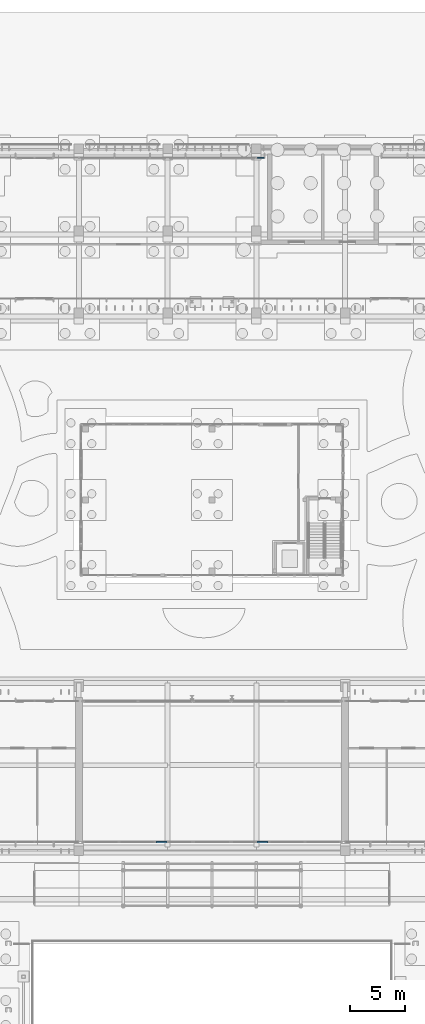
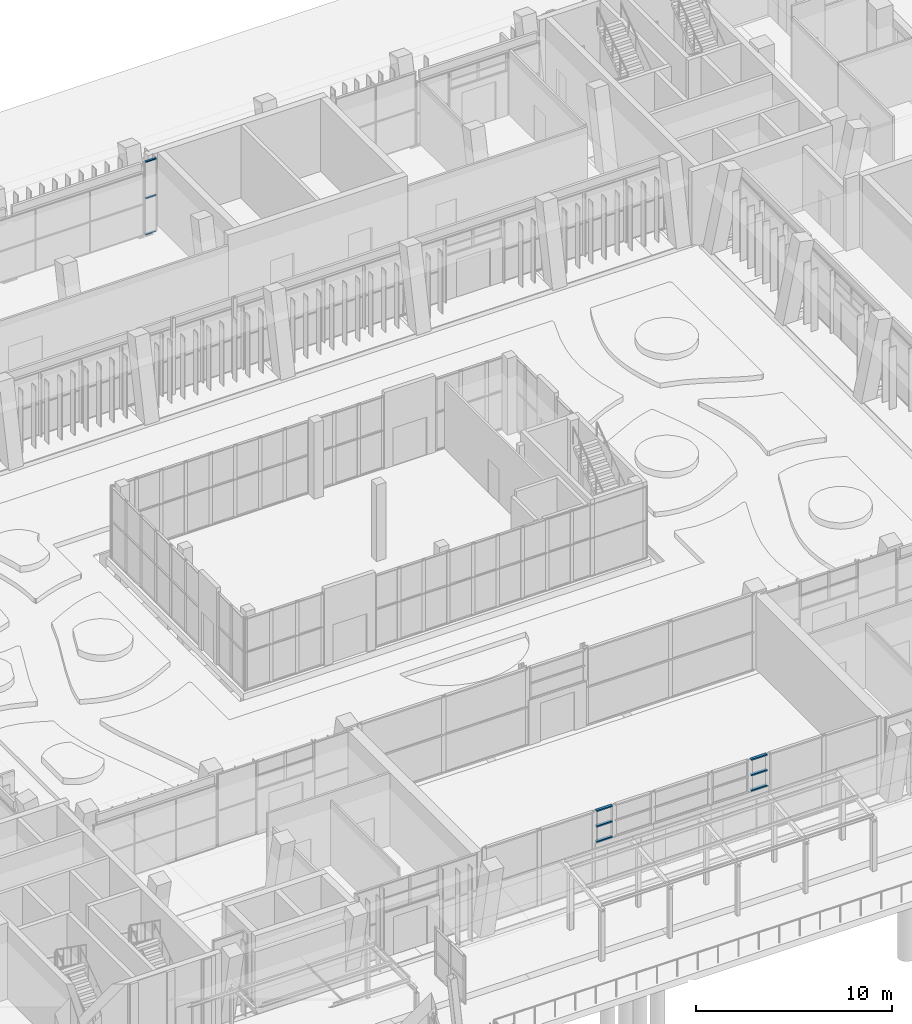
# One storey, part 84 of 144: 9 members, 3 elements without a shape of their own.
"""IFC4 building model written with IfcOpenShell, lengths in metres."""

import ifcopenshell
import ifcopenshell.guid

model = None  # the IFC model being written
_history = None  # IfcOwnerHistory: only IFC2X3 demands one
_inside = {}  # id of a spatial element -> (the spatial element, [elements in it])
_under = {}  # id of a project, library or spatial element -> (it, [spatial elements below it])
_declared = {}  # id of a project -> (the project, [libraries it declares])
_typed = {}  # id of a type object -> (the type object, [elements of that type])
_made_of = {}  # id of a material, layer set ... -> (it, [elements and type objects made of it])


def new_model(schema):
    """Start an empty IFC model of exactly this schema.

    Asked for "IFC4X3", IfcOpenShell would pick the latest addendum, in which some entities
    have other attributes; the version numbers below select the first issue.
    IFC2X3 requires an IfcOwnerHistory on every rooted entity: one is made here for all.
    """
    global model, _history
    if schema == "IFC4X3":
        model = ifcopenshell.file(schema_version=(4, 3, 0, 0))
    else:
        model = ifcopenshell.file(schema=schema)
    _inside.clear()
    _under.clear()
    _declared.clear()
    _typed.clear()
    _made_of.clear()
    _history = None
    if model.schema == "IFC2X3":
        org = make("IfcOrganization", Name="unknown")
        user = make(
            "IfcPersonAndOrganization",
            ThePerson=make("IfcPerson", FamilyName="unknown"),
            TheOrganization=org,
        )
        app = make(
            "IfcApplication",
            ApplicationDeveloper=org,
            Version="unknown",
            ApplicationFullName="unknown",
            ApplicationIdentifier="unknown",
        )
        _history = make(
            "IfcOwnerHistory",
            OwningUser=user,
            OwningApplication=app,
            ChangeAction="ADDED",
            CreationDate=0,
        )
    return model


def make(cls, **values):
    """One entity of the class cls with the attributes given. An attribute that is None is left unset."""
    return model.create_entity(
        cls, **{name: value for name, value in values.items() if value is not None}
    )


def rooted(cls, **values):
    """An entity with a GlobalId (a new one), such as an element, a storey or a relation."""
    return make(cls, GlobalId=ifcopenshell.guid.new(), OwnerHistory=_history, **values)


def si_unit(unit_type, name, prefix=None):
    """IfcSIUnit, for example si_unit("LENGTHUNIT", "METRE", prefix="MILLI")."""
    return make("IfcSIUnit", UnitType=unit_type, Prefix=prefix, Name=name)


def assignment(units):
    """IfcUnitAssignment: the units of a project."""
    return None if units is None else make("IfcUnitAssignment", Units=units)


def point(xyz):
    """IfcCartesianPoint."""
    return None if xyz is None else make("IfcCartesianPoint", Coordinates=xyz)


def direction(xyz):
    """IfcDirection."""
    return None if xyz is None else make("IfcDirection", DirectionRatios=xyz)


def frame(location, z_axis=None, x_axis=None):
    """IfcAxis2Placement3D, a coordinate frame: its origin and axes. An axis left out is left unset."""
    return make(
        "IfcAxis2Placement3D",
        Location=point(location),
        Axis=direction(z_axis),
        RefDirection=direction(x_axis),
    )


def frame_2d(location, x_axis=None):
    """IfcAxis2Placement2D, a coordinate frame in the plane: its origin and x axis."""
    return make(
        "IfcAxis2Placement2D", Location=point(location), RefDirection=direction(x_axis)
    )


def origin():
    """The frame at (0, 0, 0) with its axes left unset."""
    return frame((0.0, 0.0, 0.0))


def origin_2d():
    """The frame at (0, 0) in the plane with its x axis left unset."""
    return frame_2d((0.0, 0.0))


def place(relative_to, where):
    """IfcLocalPlacement: puts the frame where relative to a parent placement (None: the world)."""
    return make(
        "IfcLocalPlacement", PlacementRelTo=relative_to, RelativePlacement=where
    )


def context(
    kind, dimensions, precision=None, world=None, true_north=None, identifier=None
):
    """IfcGeometricRepresentationContext, for example the 3D "Model" context."""
    return make(
        "IfcGeometricRepresentationContext",
        ContextIdentifier=identifier,
        ContextType=kind,
        CoordinateSpaceDimension=dimensions,
        Precision=precision,
        WorldCoordinateSystem=world,
        TrueNorth=true_north,
    )


def subcontext(parent, identifier, kind, view, scale=None):
    """IfcGeometricRepresentationSubContext, for example "Body" below "Model"."""
    return make(
        "IfcGeometricRepresentationSubContext",
        ContextIdentifier=identifier,
        ContextType=kind,
        ParentContext=parent,
        TargetScale=scale,
        TargetView=view,
    )


def project(units=None, contexts=None):
    """IfcProject with its units and contexts."""
    return rooted(
        "IfcProject",
        Name="project",
        RepresentationContexts=contexts,
        UnitsInContext=assignment(units),
    )


def spatial(cls, under=None, at=None, **own):
    """A site, building, storey or space (cls), placed at a placement, below another one or the project."""
    s = rooted(cls, ObjectPlacement=at, **own)
    if under is not None:
        _under.setdefault(under.id(), (under, []))[1].append(s)
    return s


def profile(cls, at=None, kind="AREA", **sizes):
    """A parametric profile (cls). Its sizes go by their IFC names, for example OverallWidth=200.0."""
    return make(cls, ProfileType=kind, Position=at, **sizes)


def rectangle(**sizes):
    """IfcRectangleProfileDef."""
    return profile("IfcRectangleProfileDef", **sizes)


def extrude(swept, where, along, depth):
    """IfcExtrudedAreaSolid: the profile swept, set in the frame where, extruded along a direction by depth."""
    return make(
        "IfcExtrudedAreaSolid",
        SweptArea=swept,
        Position=where,
        ExtrudedDirection=direction(along),
        Depth=depth,
    )


def shape(context_of_items, identifier, shape_type, items):
    """IfcShapeRepresentation: the items that make up one representation, for example the "Body"."""
    return make(
        "IfcShapeRepresentation",
        ContextOfItems=context_of_items,
        RepresentationIdentifier=identifier,
        RepresentationType=shape_type,
        Items=items,
    )


def material(Name=None, Category=None):
    """IfcMaterial."""
    return make("IfcMaterial", Name=Name, Category=Category)


def material_profile(
    of_material, cross_section, Name=None, Category=None, Priority=None
):
    """IfcMaterialProfile: a cross section and its material."""
    return make(
        "IfcMaterialProfile",
        Name=Name,
        Material=of_material,
        Profile=cross_section,
        Priority=Priority,
        Category=Category,
    )


def profile_set(profiles, Name=None, composite=None):
    """IfcMaterialProfileSet."""
    return make(
        "IfcMaterialProfileSet",
        Name=Name,
        MaterialProfiles=profiles,
        CompositeProfile=composite,
    )


def made_of(thing, what):
    """Note that an element or type object is made of a material, layer set ...; save() writes the relation."""
    if what is not None:
        _made_of.setdefault(what.id(), (what, []))[1].append(thing)
    return thing


def type_object(cls, material=None, **own):
    """A type object (cls), such as IfcWallType, which elements share."""
    return made_of(rooted(cls, **own), material)


def element(
    cls,
    number,
    at=None,
    inside=None,
    cuts=None,
    type_object=None,
    material=None,
    context=None,
    identifier="Body",
    shape_type=None,
    held_by="IfcProductDefinitionShape",
    body=None,
    shapes=None,
    **own,
):
    """One element of the class cls, such as IfcWall. Its Tag is "e" and its number.

    at: its placement. inside: the storey or other place that contains it. cuts: it is an
    opening in that element (IfcRelVoidsElement). A single representation is given by context,
    identifier, shape_type and body (its items); several are given by shapes. held_by: the class
    of the entity that holds the representations. save() writes the other relations.
    """
    e = rooted(cls, Tag="e%d" % number, ObjectPlacement=at, **own)
    if body is not None:
        shapes = [shape(context, identifier, shape_type, body)]
    if shapes is not None:
        e.Representation = make(held_by, Representations=shapes)
    if inside is not None:
        _inside.setdefault(inside.id(), (inside, []))[1].append(e)
    if cuts is not None:
        rooted(
            "IfcRelVoidsElement", RelatingBuildingElement=cuts, RelatedOpeningElement=e
        )
    if type_object is not None:
        _typed.setdefault(type_object.id(), (type_object, []))[1].append(e)
    return made_of(e, material)


def aggregate(whole, parts):
    """IfcRelAggregates: a whole, such as a stair, and the parts it consists of."""
    return rooted("IfcRelAggregates", RelatingObject=whole, RelatedObjects=parts)


def save(model, path):
    """Write the relations noted so far, then the file.

    IfcRelAggregates (storeys below a building ...), IfcRelContainedInSpatialStructure (elements
    in a storey), IfcRelDefinesByType, IfcRelAssociatesMaterial and IfcRelDeclares: one each for
    every whole, place, type object, material and project.
    """
    for whole, parts in _under.values():
        aggregate(whole, parts)
    for where, things in _inside.values():
        rooted(
            "IfcRelContainedInSpatialStructure",
            RelatedElements=things,
            RelatingStructure=where,
        )
    for kind, things in _typed.values():
        rooted("IfcRelDefinesByType", RelatedObjects=things, RelatingType=kind)
    for what, things in _made_of.values():
        rooted("IfcRelAssociatesMaterial", RelatedObjects=things, RelatingMaterial=what)
    for by, libraries in _declared.values():
        rooted("IfcRelDeclares", RelatingContext=by, RelatedDefinitions=libraries)
    model.write(path)


model = new_model("IFC4")

# Units and contexts
model_context = context("Model", 3, precision=1e-05, world=origin(), true_north=direction((0.0, 1.0)))
body_context = subcontext(model_context, "Body", "Model", "MODEL_VIEW")
ifc_project = project(units=[si_unit("LENGTHUNIT", "METRE"), si_unit("AREAUNIT", "SQUARE_METRE"), si_unit("VOLUMEUNIT", "CUBIC_METRE"), si_unit("PLANEANGLEUNIT", "RADIAN"), si_unit("MASSUNIT", "GRAM", prefix="KILO")], contexts=[model_context])

# Site, building, storey
site_placement = place(None, origin())
site = spatial("IfcSite", under=ifc_project, at=site_placement, CompositionType="ELEMENT")
building_placement = place(site_placement, origin())
building = spatial("IfcBuilding", under=site, at=building_placement, Name="Lantern Court Media Centre", CompositionType="ELEMENT")
storey_placement = place(building_placement, origin())
storey = spatial("IfcBuildingStorey", under=building, at=storey_placement, Name="L00", CompositionType="ELEMENT", Elevation=0.0)

# Curtain wall, members
ifc_material_1 = material(Name="Curtain wall bay 4000")
curtain_wall_type_1 = type_object("IfcCurtainWallType", Name="Curtain wall bay 4000", PredefinedType="NOTDEFINED", material=ifc_material_1)
curtain_wall_1_placement = place(storey_placement, origin())
curtain_wall_1 = element("IfcCurtainWall", 1, at=curtain_wall_1_placement, inside=storey, type_object=curtain_wall_type_1, Name="Curtain wall S outer L00", PredefinedType="NOTDEFINED")
ifc_material_2 = material(Name="Anodised aluminium", Category="aluminium")
ifc_material_profile_1 = material_profile(ifc_material_2, rectangle(XDim=0.159912109375, YDim=0.080078125, at=origin_2d()), Name="AL 80x160")
ifc_profile_set_1 = profile_set([ifc_material_profile_1], Name="Anodised aluminium")
member_type_1 = type_object("IfcMemberType", Name="Curtain wall transom 160x80", PredefinedType="USERDEFINED", material=ifc_profile_set_1)
member_1_placement = place(storey_placement, frame((46.97998046875, 49.14990234375, 2.840087890625), z_axis=(1.0, 0.0, 0.0), x_axis=(0.0, 1.0, 0.0)))
member_1 = element("IfcMember", 2, at=member_1_placement, type_object=member_type_1, Name="CW3 transom 1.1", ObjectType="TRANSOM", PredefinedType="USERDEFINED", context=body_context, shape_type="SweptSolid", body=[
    extrude(rectangle(XDim=0.159912109375, YDim=0.080078125, at=origin_2d()), origin(), (0.0, 0.0, 1.0), 0.93994140625),
])
member_2_placement = place(storey_placement, frame((46.97998046875, 49.14990234375, 3.800048828125), z_axis=(1.0, 0.0, 0.0), x_axis=(0.0, 1.0, 0.0)))
member_2 = element("IfcMember", 3, at=member_2_placement, type_object=member_type_1, Name="CW3 transom 1.2", ObjectType="TRANSOM", PredefinedType="USERDEFINED", context=body_context, shape_type="SweptSolid", body=[
    extrude(rectangle(XDim=0.159912109375, YDim=0.080078125, at=origin_2d()), origin(), (0.0, 0.0, 1.0), 0.93994140625),
])
member_3_placement = place(storey_placement, frame((46.97998046875, 49.14990234375, 4.760009765625), z_axis=(1.0, 0.0, 0.0), x_axis=(0.0, 1.0, 0.0)))
member_3 = element("IfcMember", 4, at=member_3_placement, type_object=member_type_1, Name="CW3 transom 1.3", ObjectType="TRANSOM", PredefinedType="USERDEFINED", context=body_context, shape_type="SweptSolid", body=[
    extrude(rectangle(XDim=0.159912109375, YDim=0.080078125, at=origin_2d()), origin(), (0.0, 0.0, 1.0), 0.93994140625),
])
aggregate(curtain_wall_1, [member_1, member_2, member_3])

curtain_wall_2_placement = place(storey_placement, origin())
curtain_wall_2 = element("IfcCurtainWall", 5, at=curtain_wall_2_placement, inside=storey, type_object=curtain_wall_type_1, Name="Curtain wall S outer L00", PredefinedType="NOTDEFINED")
member_4_placement = place(storey_placement, frame((56.080078125, 49.14990234375, 2.840087890625), z_axis=(1.0, 0.0, 0.0), x_axis=(0.0, 1.0, 0.0)))
member_4 = element("IfcMember", 6, at=member_4_placement, type_object=member_type_1, Name="CW3 transom 1.1", ObjectType="TRANSOM", PredefinedType="USERDEFINED", context=body_context, shape_type="SweptSolid", body=[
    extrude(rectangle(XDim=0.159912109375, YDim=0.080078125, at=origin_2d()), origin(), (0.0, 0.0, 1.0), 0.93994140625),
])
member_5_placement = place(storey_placement, frame((56.080078125, 49.14990234375, 3.800048828125), z_axis=(1.0, 0.0, 0.0), x_axis=(0.0, 1.0, 0.0)))
member_5 = element("IfcMember", 7, at=member_5_placement, type_object=member_type_1, Name="CW3 transom 1.2", ObjectType="TRANSOM", PredefinedType="USERDEFINED", context=body_context, shape_type="SweptSolid", body=[
    extrude(rectangle(XDim=0.159912109375, YDim=0.080078125, at=origin_2d()), origin(), (0.0, 0.0, 1.0), 0.93994140625),
])
member_6_placement = place(storey_placement, frame((56.080078125, 49.14990234375, 4.760009765625), z_axis=(1.0, 0.0, 0.0), x_axis=(0.0, 1.0, 0.0)))
member_6 = element("IfcMember", 8, at=member_6_placement, type_object=member_type_1, Name="CW3 transom 1.3", ObjectType="TRANSOM", PredefinedType="USERDEFINED", context=body_context, shape_type="SweptSolid", body=[
    extrude(rectangle(XDim=0.159912109375, YDim=0.080078125, at=origin_2d()), origin(), (0.0, 0.0, 1.0), 0.93994140625),
])
aggregate(curtain_wall_2, [member_4, member_5, member_6])

ifc_material_3 = material(Name="Curtain wall bay 3000")
curtain_wall_type_2 = type_object("IfcCurtainWallType", Name="Curtain wall bay 3000", PredefinedType="NOTDEFINED", material=ifc_material_3)
curtain_wall_3_placement = place(storey_placement, origin())
curtain_wall_3 = element("IfcCurtainWall", 9, at=curtain_wall_3_placement, inside=storey, type_object=curtain_wall_type_2, Name="Curtain wall N outer L00", PredefinedType="NOTDEFINED")
ifc_material_profile_2 = material_profile(ifc_material_2, rectangle(XDim=0.1201171875, YDim=0.06005859375, at=origin_2d()), Name="AL 60x120")
ifc_profile_set_2 = profile_set([ifc_material_profile_2], Name="Anodised aluminium")
member_type_2 = type_object("IfcMemberType", Name="Curtain wall transom 60x120", PredefinedType="USERDEFINED", material=ifc_profile_set_2)
member_7_placement = place(storey_placement, frame((56.06005859375, 110.85009765625, 0.030029296875), z_axis=(1.0, 0.0, 0.0), x_axis=(0.0, 1.0, 0.0)))
member_7 = element("IfcMember", 10, at=member_7_placement, type_object=member_type_2, Name="CW1 transom 1.1", ObjectType="TRANSOM", PredefinedType="USERDEFINED", context=body_context, shape_type="SweptSolid", body=[
    extrude(rectangle(XDim=0.1201171875, YDim=0.06005859375, at=origin_2d()), origin(), (0.0, 0.0, 1.0), 0.6298828125),
])
member_8_placement = place(storey_placement, frame((56.06005859375, 110.85009765625, 2.2900390625), z_axis=(1.0, 0.0, 0.0), x_axis=(0.0, 1.0, 0.0)))
member_8 = element("IfcMember", 11, at=member_8_placement, type_object=member_type_2, Name="CW1 transom 1.2", ObjectType="TRANSOM", PredefinedType="USERDEFINED", context=body_context, shape_type="SweptSolid", body=[
    extrude(rectangle(XDim=0.1201171875, YDim=0.06005859375, at=origin_2d()), origin(), (0.0, 0.0, 1.0), 0.6298828125),
])
member_9_placement = place(storey_placement, frame((56.06005859375, 110.85009765625, 4.550048828125), z_axis=(1.0, 0.0, 0.0), x_axis=(0.0, 1.0, 0.0)))
member_9 = element("IfcMember", 12, at=member_9_placement, type_object=member_type_2, Name="CW1 transom 1.3", ObjectType="TRANSOM", PredefinedType="USERDEFINED", context=body_context, shape_type="SweptSolid", body=[
    extrude(rectangle(XDim=0.1201171875, YDim=0.06005859375, at=origin_2d()), origin(), (0.0, 0.0, 1.0), 0.6298828125),
])
aggregate(curtain_wall_3, [member_7, member_8, member_9])

save(model, "model.ifc")
